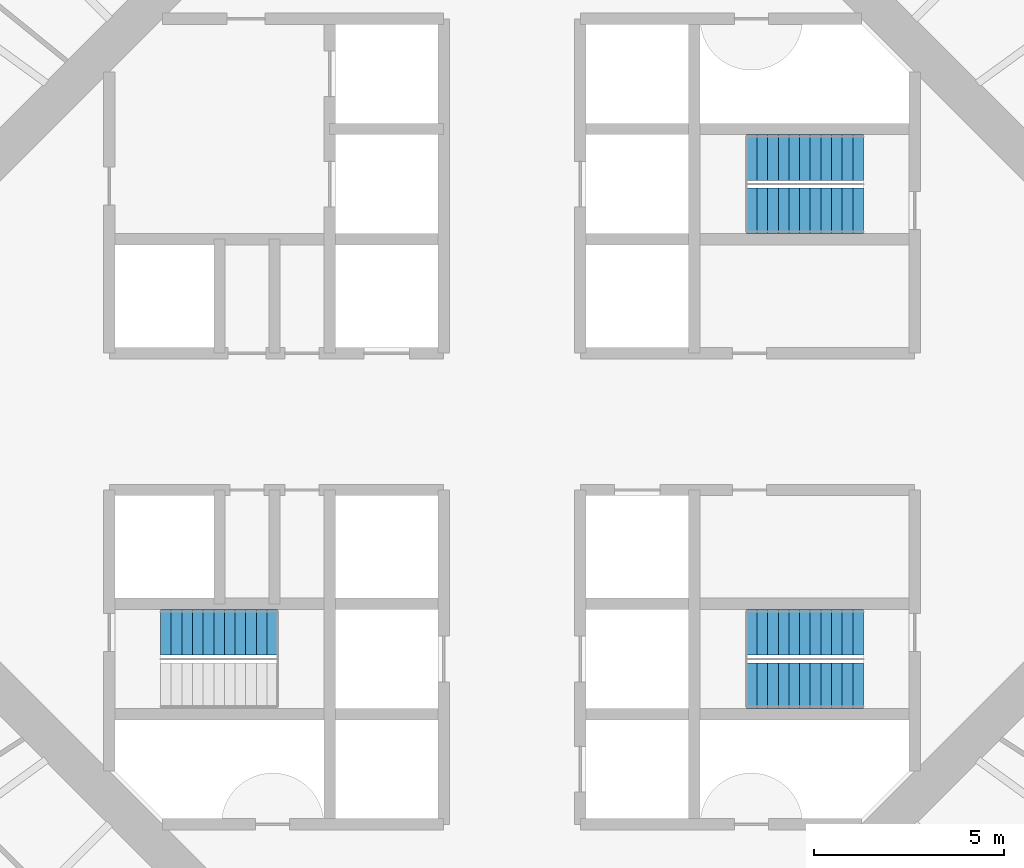
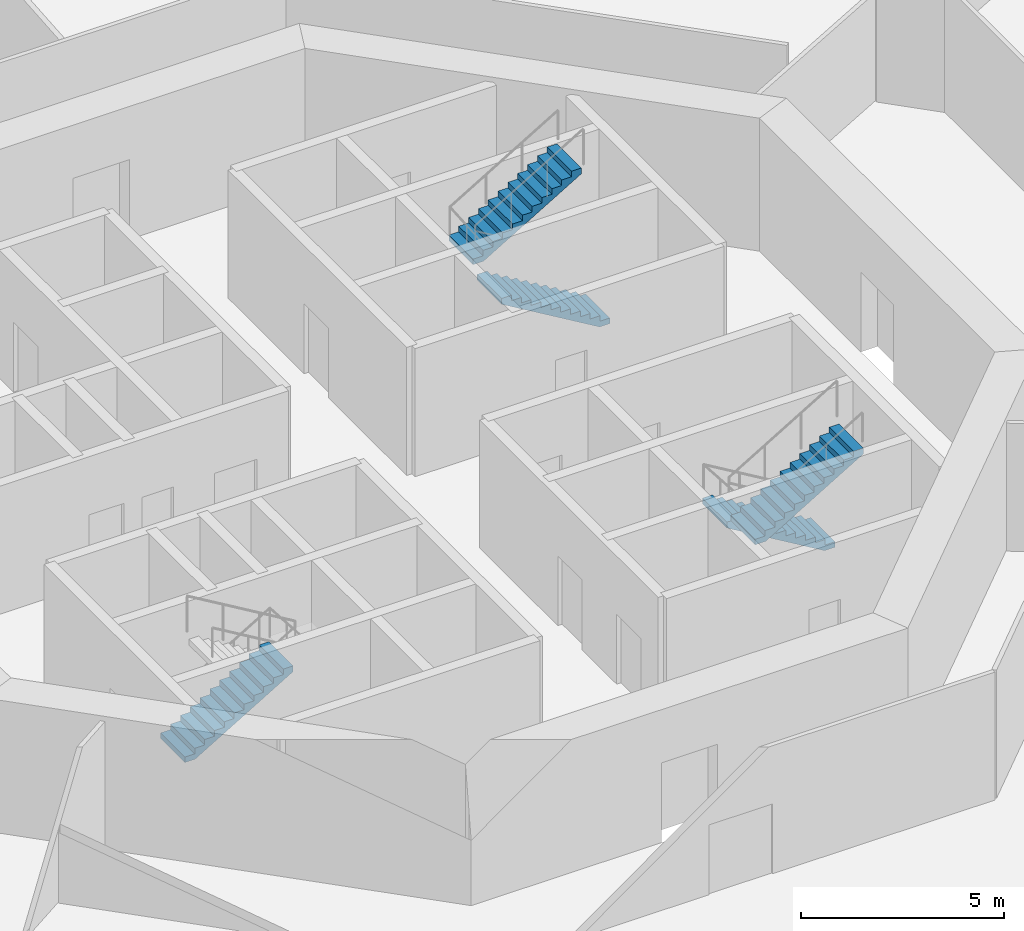
# One storey, part 6 of 17: 5 stair flights, 3 elements without a shape of their own.
"""IFC4 building model written with IfcOpenShell, lengths in metres."""

from ifc_helpers import new_model, si_unit, direction, frame, origin, place, context, subcontext, project, spatial, polyline, outline, extrude, material, type_object, element, aggregate, save


model = new_model("IFC4")

# Units and contexts
model_context = context("Model", 3, precision=1e-05, world=origin(), true_north=direction((0.0, 1.0)))
body_context = subcontext(model_context, "Body", "Model", "MODEL_VIEW")
ifc_project = project(units=[si_unit("LENGTHUNIT", "METRE"), si_unit("AREAUNIT", "SQUARE_METRE"), si_unit("VOLUMEUNIT", "CUBIC_METRE"), si_unit("PLANEANGLEUNIT", "RADIAN"), si_unit("MASSUNIT", "GRAM", prefix="KILO")], contexts=[model_context])

# Site, building, storey
site_placement = place(None, origin())
site = spatial("IfcSite", under=ifc_project, at=site_placement, CompositionType="ELEMENT")
building_placement = place(site_placement, origin())
building = spatial("IfcBuilding", under=site, at=building_placement, Name="Entoto Ring Tower", CompositionType="ELEMENT")
storey_placement = place(building_placement, frame((0.0, 0.0, 160.0)))
storey = spatial("IfcBuildingStorey", under=building, at=storey_placement, Name="L36", CompositionType="ELEMENT", Elevation=160.0)

# Stair, stair flights
ifc_material_1 = material(Name="Concrete C40/50", Category="concrete")
stair_type = type_object("IfcStairType", Name="Exit stair 1200 mm dog-leg reinforced concrete", PredefinedType="HALF_TURN_STAIR", material=ifc_material_1)
stair_1_placement = place(storey_placement, origin())
stair_1 = element("IfcStair", 1, at=stair_1_placement, inside=storey, type_object=stair_type, Name="Exit stair 1", PredefinedType="HALF_TURN_STAIR")
ifc_material_2 = material(Name="Concrete C40/50", Category="concrete")
stair_flight_type = type_object("IfcStairFlightType", Name="Stair flight 1200 mm reinforced concrete", PredefinedType="STRAIGHT", material=ifc_material_2)
stair_flight_1_placement = place(storey_placement, frame((99.25, 85.550048828125, 0.0), z_axis=(0.0, 0.0, 1.0), x_axis=(-1.0, 0.0, 0.0)))
stair_flight_1 = element("IfcStairFlight", 2, at=stair_flight_1_placement, type_object=stair_flight_type, Name="ST1 flight 1", NumberOfRisers=12, NumberOfTreads=11, PredefinedType="STRAIGHT", RiserHeight=0.166666667, TreadLength=0.28, context=body_context, shape_type="SweptSolid", body=[
    extrude(outline(polyline([(0.0, 0.0), (0.0, 0.166748046875), (0.280029296875, 0.166748046875), (0.280029296875, 0.333251953125), (0.56005859375, 0.333251953125), (0.56005859375, 0.5), (0.840087890625, 0.5), (0.840087890625, 0.666748046875), (1.1201171875, 0.666748046875), (1.1201171875, 0.833251953125), (1.39990234375, 0.833251953125), (1.39990234375, 1.0), (1.679931640625, 1.0), (1.679931640625, 1.166748046875), (1.9599609375, 1.166748046875), (1.9599609375, 1.333251953125), (2.239990234375, 1.333251953125), (2.239990234375, 1.5), (2.52001953125, 1.5), (2.52001953125, 1.666748046875), (2.800048828125, 1.666748046875), (2.800048828125, 1.833251953125), (3.080078125, 1.833251953125), (3.080078125, 2.0), (3.080078125, 1.658935546875), (0.29296875, 0.0), (0.0, 0.0)])), frame((0.0, 0.60009765625, 0.0), z_axis=(0.0, -1.0, 0.0), x_axis=(1.0, 0.0, 0.0)), (0.0, 0.0, 1.0), 1.199951171875),
])
stair_flight_2_placement = place(storey_placement, frame((96.169921875, 86.949951171875, 2.0), z_axis=(0.0, 0.0, 1.0), x_axis=(1.0, 0.0, 0.0)))
stair_flight_2 = element("IfcStairFlight", 3, at=stair_flight_2_placement, type_object=stair_flight_type, Name="ST1 flight 2", NumberOfRisers=12, NumberOfTreads=11, PredefinedType="STRAIGHT", RiserHeight=0.166666667, TreadLength=0.28, context=body_context, shape_type="SweptSolid", body=[
    extrude(outline(polyline([(0.0, 0.0), (0.0, 0.166748046875), (0.280029296875, 0.166748046875), (0.280029296875, 0.333251953125), (0.56005859375, 0.333251953125), (0.56005859375, 0.5), (0.840087890625, 0.5), (0.840087890625, 0.666748046875), (1.1201171875, 0.666748046875), (1.1201171875, 0.833251953125), (1.39990234375, 0.833251953125), (1.39990234375, 1.0), (1.679931640625, 1.0), (1.679931640625, 1.166748046875), (1.9599609375, 1.166748046875), (1.9599609375, 1.333251953125), (2.239990234375, 1.333251953125), (2.239990234375, 1.5), (2.52001953125, 1.5), (2.52001953125, 1.666748046875), (2.800048828125, 1.666748046875), (2.800048828125, 1.833251953125), (3.080078125, 1.833251953125), (3.080078125, 2.0), (3.080078125, 1.658935546875), (0.29296875, 0.0), (0.0, 0.0)])), frame((0.0, 0.60009765625, 0.0), z_axis=(0.0, -1.0, 0.0), x_axis=(1.0, 0.0, 0.0)), (0.0, 0.0, 1.0), 1.199951171875),
])
aggregate(stair_1, [stair_flight_1, stair_flight_2])

# Stair, stair flight
stair_2_placement = place(storey_placement, origin())
stair_2 = element("IfcStair", 4, at=stair_2_placement, inside=storey, type_object=stair_type, Name="Exit stair 2", PredefinedType="HALF_TURN_STAIR")
stair_flight_3_placement = place(storey_placement, frame((80.75, 74.449951171875, 0.0), z_axis=(0.0, 0.0, 1.0), x_axis=(1.0, 0.0, 0.0)))
stair_flight_3 = element("IfcStairFlight", 5, at=stair_flight_3_placement, type_object=stair_flight_type, Name="ST2 flight 1", NumberOfRisers=12, NumberOfTreads=11, PredefinedType="STRAIGHT", RiserHeight=0.166666667, TreadLength=0.28, context=body_context, shape_type="SweptSolid", body=[
    extrude(outline(polyline([(0.0, 0.0), (0.0, 0.166748046875), (0.280029296875, 0.166748046875), (0.280029296875, 0.333251953125), (0.56005859375, 0.333251953125), (0.56005859375, 0.5), (0.840087890625, 0.5), (0.840087890625, 0.666748046875), (1.1201171875, 0.666748046875), (1.1201171875, 0.833251953125), (1.39990234375, 0.833251953125), (1.39990234375, 1.0), (1.679931640625, 1.0), (1.679931640625, 1.166748046875), (1.9599609375, 1.166748046875), (1.9599609375, 1.333251953125), (2.239990234375, 1.333251953125), (2.239990234375, 1.5), (2.52001953125, 1.5), (2.52001953125, 1.666748046875), (2.800048828125, 1.666748046875), (2.800048828125, 1.833251953125), (3.080078125, 1.833251953125), (3.080078125, 2.0), (3.080078125, 1.658935546875), (0.29296875, 0.0), (0.0, 0.0)])), frame((0.0, 0.60009765625, 0.0), z_axis=(0.0, -1.0, 0.0), x_axis=(1.0, 0.0, 0.0)), (0.0, 0.0, 1.0), 1.199951171875),
])
aggregate(stair_2, [stair_flight_3])

# Stair, stair flights
stair_3_placement = place(storey_placement, origin())
stair_3 = element("IfcStair", 6, at=stair_3_placement, inside=storey, type_object=stair_type, Name="Exit stair 3", PredefinedType="HALF_TURN_STAIR")
stair_flight_4_placement = place(storey_placement, frame((99.25, 74.449951171875, 0.0), z_axis=(0.0, 0.0, 1.0), x_axis=(-1.0, 0.0, 0.0)))
stair_flight_4 = element("IfcStairFlight", 7, at=stair_flight_4_placement, type_object=stair_flight_type, Name="ST3 flight 1", NumberOfRisers=12, NumberOfTreads=11, PredefinedType="STRAIGHT", RiserHeight=0.166666667, TreadLength=0.28, context=body_context, shape_type="SweptSolid", body=[
    extrude(outline(polyline([(0.0, 0.0), (0.0, 0.166748046875), (0.280029296875, 0.166748046875), (0.280029296875, 0.333251953125), (0.56005859375, 0.333251953125), (0.56005859375, 0.5), (0.840087890625, 0.5), (0.840087890625, 0.666748046875), (1.1201171875, 0.666748046875), (1.1201171875, 0.833251953125), (1.39990234375, 0.833251953125), (1.39990234375, 1.0), (1.679931640625, 1.0), (1.679931640625, 1.166748046875), (1.9599609375, 1.166748046875), (1.9599609375, 1.333251953125), (2.239990234375, 1.333251953125), (2.239990234375, 1.5), (2.52001953125, 1.5), (2.52001953125, 1.666748046875), (2.800048828125, 1.666748046875), (2.800048828125, 1.833251953125), (3.080078125, 1.833251953125), (3.080078125, 2.0), (3.080078125, 1.658935546875), (0.29296875, 0.0), (0.0, 0.0)])), frame((0.0, 0.60009765625, 0.0), z_axis=(0.0, -1.0, 0.0), x_axis=(1.0, 0.0, 0.0)), (0.0, 0.0, 1.0), 1.199951171875),
])
stair_flight_5_placement = place(storey_placement, frame((96.169921875, 73.050048828125, 2.0), z_axis=(0.0, 0.0, 1.0), x_axis=(1.0, 0.0, 0.0)))
stair_flight_5 = element("IfcStairFlight", 8, at=stair_flight_5_placement, type_object=stair_flight_type, Name="ST3 flight 2", NumberOfRisers=12, NumberOfTreads=11, PredefinedType="STRAIGHT", RiserHeight=0.166666667, TreadLength=0.28, context=body_context, shape_type="SweptSolid", body=[
    extrude(outline(polyline([(0.0, 0.0), (0.0, 0.166748046875), (0.280029296875, 0.166748046875), (0.280029296875, 0.333251953125), (0.56005859375, 0.333251953125), (0.56005859375, 0.5), (0.840087890625, 0.5), (0.840087890625, 0.666748046875), (1.1201171875, 0.666748046875), (1.1201171875, 0.833251953125), (1.39990234375, 0.833251953125), (1.39990234375, 1.0), (1.679931640625, 1.0), (1.679931640625, 1.166748046875), (1.9599609375, 1.166748046875), (1.9599609375, 1.333251953125), (2.239990234375, 1.333251953125), (2.239990234375, 1.5), (2.52001953125, 1.5), (2.52001953125, 1.666748046875), (2.800048828125, 1.666748046875), (2.800048828125, 1.833251953125), (3.080078125, 1.833251953125), (3.080078125, 2.0), (3.080078125, 1.658935546875), (0.29296875, 0.0), (0.0, 0.0)])), frame((0.0, 0.60009765625, 0.0), z_axis=(0.0, -1.0, 0.0), x_axis=(1.0, 0.0, 0.0)), (0.0, 0.0, 1.0), 1.199951171875),
])
aggregate(stair_3, [stair_flight_4, stair_flight_5])

save(model, "model.ifc")
